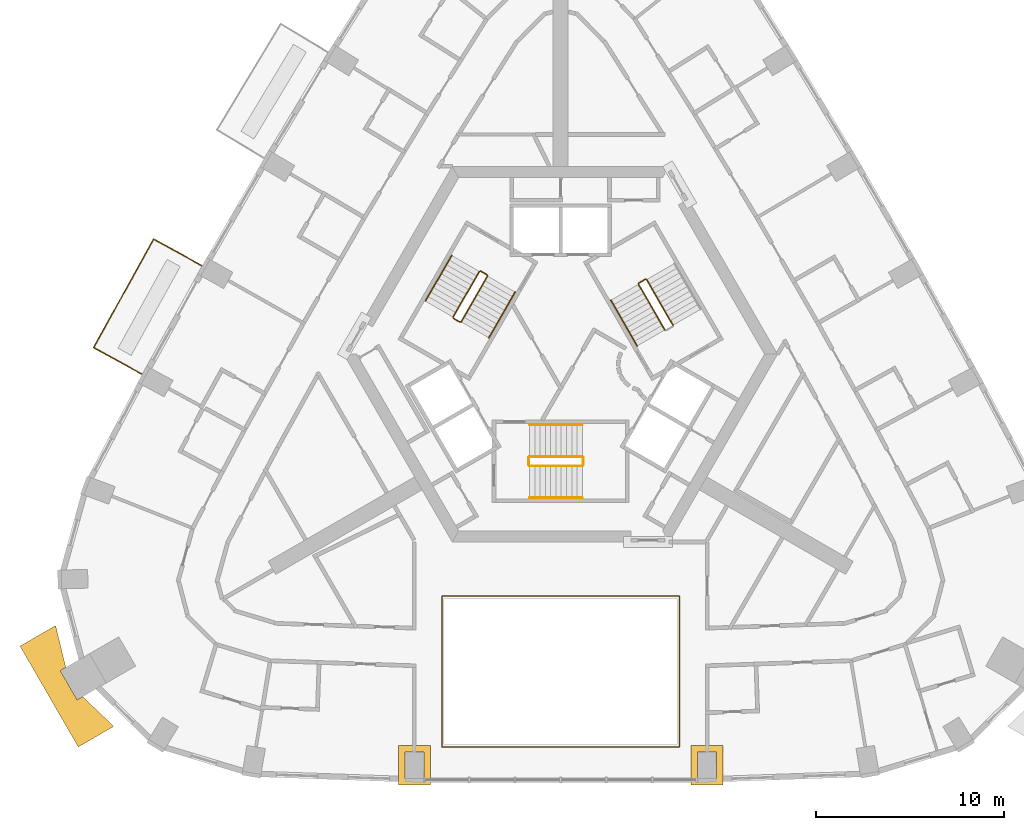
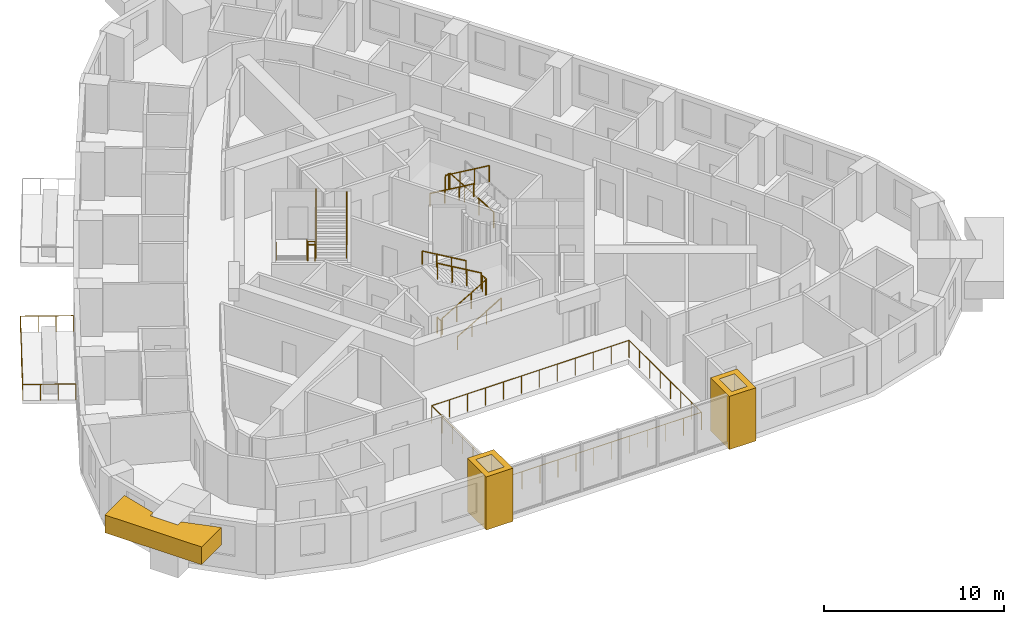
# One storey, part 12 of 14: 18 railings, 3 coverings.
"""IFC4 building model written with IfcOpenShell, lengths in metres."""

from ifc_helpers import new_model, si_unit, direction, frame, origin, origin_2d, place, context, subcontext, project, spatial, polyline, circle, outline, extrude, material, type_object, element, save


model = new_model("IFC4")

# Units and contexts
model_context = context("Model", 3, precision=1e-05, world=origin(), true_north=direction((0.0, 1.0)))
body_context = subcontext(model_context, "Body", "Model", "MODEL_VIEW")
ifc_project = project(units=[si_unit("LENGTHUNIT", "METRE"), si_unit("AREAUNIT", "SQUARE_METRE"), si_unit("VOLUMEUNIT", "CUBIC_METRE"), si_unit("PLANEANGLEUNIT", "RADIAN"), si_unit("MASSUNIT", "GRAM", prefix="KILO")], contexts=[model_context])

# Site, building, storey
site_placement = place(None, origin())
site = spatial("IfcSite", under=ifc_project, at=site_placement, CompositionType="ELEMENT")
building_placement = place(site_placement, origin())
building = spatial("IfcBuilding", under=site, at=building_placement, Name="Entoto Arch Interchange Tower", CompositionType="ELEMENT")
storey_placement = place(building_placement, frame((0.0, 0.0, 259.39990234375)))
storey = spatial("IfcBuildingStorey", under=building, at=storey_placement, Name="L59", CompositionType="ELEMENT", Elevation=259.39990234375)

# Railings
ifc_material_1 = material(Name="Stainless steel 1.4301", Category="steel")
railing_type_1 = type_object("IfcRailingType", Name="ATRIUM GUARD 1200 STEEL AND GLASS", PredefinedType="GUARDRAIL", material=ifc_material_1)
railing_1_placement = place(storey_placement, frame((6.320068359375, -18.408935546875, 0.0)))
element("IfcRailing", 1, at=railing_1_placement, inside=storey, type_object=railing_type_1, Name="Atrium guard L59", PredefinedType="GUARDRAIL", context=body_context, shape_type="SweptSolid", body=[
    extrude(circle(Radius=0.02392578125, at=origin_2d()), frame((0.0, 0.0, 1.17578125), z_axis=(-1.0, 0.0, 0.0), x_axis=(0.0, -1.0, 0.0)), (0.0, 0.0, 1.0), 12.64013671875),
    extrude(circle(Radius=0.02392578125, at=origin_2d()), frame((-12.64013671875, 0.0, 1.17578125), z_axis=(0.0, 1.0, 0.0), x_axis=(-1.0, 0.0, 0.0)), (0.0, 0.0, 1.0), 8.029052734375),
    extrude(circle(Radius=0.02392578125, at=origin_2d()), frame((-12.64013671875, 8.029052734375, 1.17578125), z_axis=(1.0, 0.0, 0.0), x_axis=(0.0, 1.0, 0.0)), (0.0, 0.0, 1.0), 12.64013671875),
    extrude(circle(Radius=0.02392578125, at=origin_2d()), frame((0.0, 8.029052734375, 1.17578125), z_axis=(0.0, -1.0, 0.0), x_axis=(1.0, 0.0, 0.0)), (0.0, 0.0, 1.0), 8.029052734375),
    extrude(circle(Radius=0.02099609375, at=origin_2d()), origin(), (0.0, 0.0, 1.0), 1.15185546875),
    extrude(circle(Radius=0.02099609375, at=origin_2d()), frame((-1.149169921875, 0.0, 0.0)), (0.0, 0.0, 1.0), 1.15185546875),
    extrude(circle(Radius=0.02099609375, at=origin_2d()), frame((-2.298095703125, 0.0, 0.0)), (0.0, 0.0, 1.0), 1.15185546875),
    extrude(circle(Radius=0.02099609375, at=origin_2d()), frame((-3.447265625, 0.0, 0.0)), (0.0, 0.0, 1.0), 1.15185546875),
    extrude(circle(Radius=0.02099609375, at=origin_2d()), frame((-4.596435546875, 0.0, 0.0)), (0.0, 0.0, 1.0), 1.15185546875),
    extrude(circle(Radius=0.02099609375, at=origin_2d()), frame((-5.74560546875, 0.0, 0.0)), (0.0, 0.0, 1.0), 1.15185546875),
    extrude(circle(Radius=0.02099609375, at=origin_2d()), frame((-6.89453125, 0.0, 0.0)), (0.0, 0.0, 1.0), 1.15185546875),
    extrude(circle(Radius=0.02099609375, at=origin_2d()), frame((-8.043701171875, 0.0, 0.0)), (0.0, 0.0, 1.0), 1.15185546875),
    extrude(circle(Radius=0.02099609375, at=origin_2d()), frame((-9.19287109375, 0.0, 0.0)), (0.0, 0.0, 1.0), 1.15185546875),
    extrude(circle(Radius=0.02099609375, at=origin_2d()), frame((-10.342041015625, 0.0, 0.0)), (0.0, 0.0, 1.0), 1.15185546875),
    extrude(circle(Radius=0.02099609375, at=origin_2d()), frame((-11.490966796875, 0.0, 0.0)), (0.0, 0.0, 1.0), 1.15185546875),
    extrude(circle(Radius=0.02099609375, at=origin_2d()), frame((-12.64013671875, 0.0, 0.0)), (0.0, 0.0, 1.0), 1.15185546875),
    extrude(circle(Radius=0.02099609375, at=origin_2d()), frame((-12.64013671875, 1.14697265625, 0.0)), (0.0, 0.0, 1.0), 1.15185546875),
    extrude(circle(Radius=0.02099609375, at=origin_2d()), frame((-12.64013671875, 2.2939453125, 0.0)), (0.0, 0.0, 1.0), 1.15185546875),
    extrude(circle(Radius=0.02099609375, at=origin_2d()), frame((-12.64013671875, 3.44091796875, 0.0)), (0.0, 0.0, 1.0), 1.15185546875),
    extrude(circle(Radius=0.02099609375, at=origin_2d()), frame((-12.64013671875, 4.588134765625, 0.0)), (0.0, 0.0, 1.0), 1.15185546875),
    extrude(circle(Radius=0.02099609375, at=origin_2d()), frame((-12.64013671875, 5.735107421875, 0.0)), (0.0, 0.0, 1.0), 1.15185546875),
    extrude(circle(Radius=0.02099609375, at=origin_2d()), frame((-12.64013671875, 6.882080078125, 0.0)), (0.0, 0.0, 1.0), 1.15185546875),
    extrude(circle(Radius=0.02099609375, at=origin_2d()), frame((-12.64013671875, 8.029052734375, 0.0)), (0.0, 0.0, 1.0), 1.15185546875),
    extrude(circle(Radius=0.02099609375, at=origin_2d()), frame((-11.490966796875, 8.029052734375, 0.0)), (0.0, 0.0, 1.0), 1.15185546875),
    extrude(circle(Radius=0.02099609375, at=origin_2d()), frame((-10.342041015625, 8.029052734375, 0.0)), (0.0, 0.0, 1.0), 1.15185546875),
    extrude(circle(Radius=0.02099609375, at=origin_2d()), frame((-9.19287109375, 8.029052734375, 0.0)), (0.0, 0.0, 1.0), 1.15185546875),
    extrude(circle(Radius=0.02099609375, at=origin_2d()), frame((-8.043701171875, 8.029052734375, 0.0)), (0.0, 0.0, 1.0), 1.15185546875),
    extrude(circle(Radius=0.02099609375, at=origin_2d()), frame((-6.89453125, 8.029052734375, 0.0)), (0.0, 0.0, 1.0), 1.15185546875),
    extrude(circle(Radius=0.02099609375, at=origin_2d()), frame((-5.74560546875, 8.029052734375, 0.0)), (0.0, 0.0, 1.0), 1.15185546875),
    extrude(circle(Radius=0.02099609375, at=origin_2d()), frame((-4.596435546875, 8.029052734375, 0.0)), (0.0, 0.0, 1.0), 1.15185546875),
    extrude(circle(Radius=0.02099609375, at=origin_2d()), frame((-3.447265625, 8.029052734375, 0.0)), (0.0, 0.0, 1.0), 1.15185546875),
    extrude(circle(Radius=0.02099609375, at=origin_2d()), frame((-2.298095703125, 8.029052734375, 0.0)), (0.0, 0.0, 1.0), 1.15185546875),
    extrude(circle(Radius=0.02099609375, at=origin_2d()), frame((-1.149169921875, 8.029052734375, 0.0)), (0.0, 0.0, 1.0), 1.15185546875),
    extrude(circle(Radius=0.02099609375, at=origin_2d()), frame((0.0, 8.029052734375, 0.0)), (0.0, 0.0, 1.0), 1.15185546875),
    extrude(circle(Radius=0.02099609375, at=origin_2d()), frame((0.0, 6.882080078125, 0.0)), (0.0, 0.0, 1.0), 1.15185546875),
    extrude(circle(Radius=0.02099609375, at=origin_2d()), frame((0.0, 5.735107421875, 0.0)), (0.0, 0.0, 1.0), 1.15185546875),
    extrude(circle(Radius=0.02099609375, at=origin_2d()), frame((0.0, 4.588134765625, 0.0)), (0.0, 0.0, 1.0), 1.15185546875),
    extrude(circle(Radius=0.02099609375, at=origin_2d()), frame((0.0, 3.44091796875, 0.0)), (0.0, 0.0, 1.0), 1.15185546875),
    extrude(circle(Radius=0.02099609375, at=origin_2d()), frame((0.0, 2.2939453125, 0.0)), (0.0, 0.0, 1.0), 1.15185546875),
    extrude(circle(Radius=0.02099609375, at=origin_2d()), frame((0.0, 1.14697265625, 0.0)), (0.0, 0.0, 1.0), 1.15185546875),
])
railing_type_2 = type_object("IfcRailingType", Name="GUARD 1100 STEEL AND GLASS", PredefinedType="GUARDRAIL", material=ifc_material_1)
railing_2_placement = place(storey_placement, frame((-19.087890625, 7.2080078125, 0.0)))
element("IfcRailing", 2, at=railing_2_placement, inside=storey, type_object=railing_type_2, Name="Balcony guard NW-04 L59", PredefinedType="GUARDRAIL", context=body_context, shape_type="SweptSolid", body=[
    extrude(circle(Radius=0.02392578125, at=origin_2d()), frame((0.0, 0.0, 1.076171875), z_axis=(-0.875368754809, 0.483455833665, 0.0), x_axis=(-0.483455833665, -0.875368754809, 0.0)), (0.0, 0.0, 1.0), 2.94970703125),
    extrude(circle(Radius=0.02392578125, at=origin_2d()), frame((-2.58203125, 1.426025390625, 1.076171875), z_axis=(-0.483443845308, -0.87537537573, 0.0), x_axis=(0.87537537573, -0.483443845308, 0.0)), (0.0, 0.0, 1.0), 6.60302734375),
    extrude(circle(Radius=0.02392578125, at=origin_2d()), frame((-5.774169921875, -4.35400390625, 1.076171875), z_axis=(0.875368754809, -0.483455833665, 0.0), x_axis=(0.483455833665, 0.875368754809, 0.0)), (0.0, 0.0, 1.0), 2.94970703125),
    extrude(circle(Radius=0.02099609375, at=origin_2d()), origin(), (0.0, 0.0, 1.0), 1.052001953125),
    extrude(circle(Radius=0.02099609375, at=origin_2d()), frame((-0.860595703125, 0.475341796875, 0.0)), (0.0, 0.0, 1.0), 1.052001953125),
    extrude(circle(Radius=0.02099609375, at=origin_2d()), frame((-1.721435546875, 0.95068359375, 0.0)), (0.0, 0.0, 1.0), 1.052001953125),
    extrude(circle(Radius=0.02099609375, at=origin_2d()), frame((-2.58203125, 1.426025390625, 0.0)), (0.0, 0.0, 1.0), 1.052001953125),
    extrude(circle(Radius=0.02099609375, at=origin_2d()), frame((-3.114013671875, 0.462646484375, 0.0)), (0.0, 0.0, 1.0), 1.052001953125),
    extrude(circle(Radius=0.02099609375, at=origin_2d()), frame((-3.64599609375, -0.500732421875, 0.0)), (0.0, 0.0, 1.0), 1.052001953125),
    extrude(circle(Radius=0.02099609375, at=origin_2d()), frame((-4.17822265625, -1.4638671875, 0.0)), (0.0, 0.0, 1.0), 1.052001953125),
    extrude(circle(Radius=0.02099609375, at=origin_2d()), frame((-4.710205078125, -2.42724609375, 0.0)), (0.0, 0.0, 1.0), 1.052001953125),
    extrude(circle(Radius=0.02099609375, at=origin_2d()), frame((-5.2421875, -3.390625, 0.0)), (0.0, 0.0, 1.0), 1.052001953125),
    extrude(circle(Radius=0.02099609375, at=origin_2d()), frame((-5.774169921875, -4.35400390625, 0.0)), (0.0, 0.0, 1.0), 1.052001953125),
    extrude(circle(Radius=0.02099609375, at=origin_2d()), frame((-4.91357421875, -4.829345703125, 0.0)), (0.0, 0.0, 1.0), 1.052001953125),
    extrude(circle(Radius=0.02099609375, at=origin_2d()), frame((-4.052734375, -5.3046875, 0.0)), (0.0, 0.0, 1.0), 1.052001953125),
    extrude(circle(Radius=0.02099609375, at=origin_2d()), frame((-3.192138671875, -5.780029296875, 0.0)), (0.0, 0.0, 1.0), 1.052001953125),
])

# Coverings
ifc_material_2 = material(Name="Board-marked precast concrete C50/60", Category="concrete")
covering_type = type_object("IfcCoveringType", Name="PRECAST FRAME COURSE", PredefinedType="CLADDING", material=ifc_material_2)
covering_1_placement = place(storey_placement, frame((0.0, 0.0, 2.06005859375)))
element("IfcCovering", 3, at=covering_1_placement, inside=storey, type_object=covering_type, Name="Corner pilaster head SW L57-L59", PredefinedType="CLADDING", context=body_context, shape_type="SweptSolid", body=[
    extrude(outline(polyline([(-25.68408203125, -18.408935546875), (-28.783935546875, -13.0390625), (-26.887939453125, -11.945068359375), (-26.345947265625, -14.173095703125), (-26.64404296875, -14.344970703125), (-25.743896484375, -15.903076171875), (-25.447021484375, -15.73095703125), (-23.7880859375, -17.31396484375), (-25.68408203125, -18.408935546875)])), origin(), (0.0, 0.0, 1.0), 1.199951171875),
])
covering_2_placement = place(storey_placement, frame((0.0, 0.0, -0.33984375)))
element("IfcCovering", 4, at=covering_2_placement, inside=storey, type_object=covering_type, Name="Gate pier L59", PredefinedType="CLADDING", context=body_context, shape_type="SweptSolid", body=[
    extrude(outline(polyline([(-8.634033203125, -18.339111328125), (-6.93408203125, -18.339111328125), (-6.93408203125, -20.43896484375), (-8.634033203125, -20.43896484375), (-8.634033203125, -18.339111328125)]), holes=[polyline([(-8.283935546875, -18.68896484375), (-8.283935546875, -20.089111328125), (-7.283935546875, -20.089111328125), (-7.283935546875, -18.68896484375), (-8.283935546875, -18.68896484375)])]), origin(), (0.0, 0.0, 1.0), 3.599853515625),
])
covering_3_placement = place(storey_placement, frame((0.0, 0.0, -0.33984375)))
element("IfcCovering", 5, at=covering_3_placement, inside=storey, type_object=covering_type, Name="Gate pier L59", PredefinedType="CLADDING", context=body_context, shape_type="SweptSolid", body=[
    extrude(outline(polyline([(6.93408203125, -18.339111328125), (8.634033203125, -18.339111328125), (8.634033203125, -20.43896484375), (6.93408203125, -20.43896484375), (6.93408203125, -18.339111328125)]), holes=[polyline([(7.283935546875, -18.68896484375), (7.283935546875, -20.089111328125), (8.283935546875, -20.089111328125), (8.283935546875, -18.68896484375), (7.283935546875, -18.68896484375)])]), origin(), (0.0, 0.0, 1.0), 3.599853515625),
])

# Railings
railing_type_3 = type_object("IfcRailingType", Name="STAIR GUARD 1100 STEEL", PredefinedType="GUARDRAIL", material=ifc_material_1)
railing_3_placement = place(storey_placement, frame((-1.64990234375, -3.449951171875, 0.163818359375)))
element("IfcRailing", 6, at=railing_3_placement, inside=storey, type_object=railing_type_3, Name="L59 ST-S stair guard 1", PredefinedType="GUARDRAIL", context=body_context, shape_type="SweptSolid", body=[
    extrude(circle(Radius=0.02392578125, at=origin_2d()), frame((0.0, 0.0, 1.076171875), z_axis=(0.863374499697, 0.0, 0.504563646405), x_axis=(0.0, 1.0, 0.0)), (0.0, 0.0, 1.0), 3.242919921875),
    extrude(circle(Radius=0.02099609375, at=origin_2d()), origin(), (0.0, 0.0, 1.0), 1.052001953125),
    extrude(circle(Radius=0.02099609375, at=origin_2d()), frame((0.933349609375, 0.0, 0.54541015625)), (0.0, 0.0, 1.0), 1.052001953125),
    extrude(circle(Radius=0.02099609375, at=origin_2d()), frame((1.866455078125, 0.0, 1.0908203125)), (0.0, 0.0, 1.0), 1.052001953125),
    extrude(circle(Radius=0.02099609375, at=origin_2d()), frame((2.7998046875, 0.0, 1.63623046875)), (0.0, 0.0, 1.0), 1.052001953125),
])
railing_4_placement = place(storey_placement, frame((1.199951171875, -3.39990234375, 1.800048828125)))
element("IfcRailing", 7, at=railing_4_placement, inside=storey, type_object=railing_type_3, Name="L59 ST-S stair guard 2", PredefinedType="GUARDRAIL", context=body_context, shape_type="SweptSolid", body=[
    extrude(circle(Radius=0.02392578125, at=origin_2d()), frame((0.0, 0.0, 1.076171875), z_axis=(0.0, 1.0, 0.0), x_axis=(-1.0, 0.0, 0.0)), (0.0, 0.0, 1.0), 0.39990234375),
    extrude(circle(Radius=0.02099609375, at=origin_2d()), origin(), (0.0, 0.0, 1.0), 1.052001953125),
    extrude(circle(Radius=0.02099609375, at=origin_2d()), frame((0.0, 0.39990234375, 0.0)), (0.0, 0.0, 1.0), 1.052001953125),
])
railing_5_placement = place(storey_placement, frame((1.14990234375, -2.949951171875, 1.963623046875)))
element("IfcRailing", 8, at=railing_5_placement, inside=storey, type_object=railing_type_3, Name="L59 ST-S stair guard 3", PredefinedType="GUARDRAIL", context=body_context, shape_type="SweptSolid", body=[
    extrude(circle(Radius=0.02392578125, at=origin_2d()), frame((0.0, 0.0, 1.076171875), z_axis=(-0.863341702679, 0.0, 0.504619762213), x_axis=(0.0, -1.0, 0.0)), (0.0, 0.0, 1.0), 3.242919921875),
    extrude(circle(Radius=0.02099609375, at=origin_2d()), origin(), (0.0, 0.0, 1.0), 1.052001953125),
    extrude(circle(Radius=0.02099609375, at=origin_2d()), frame((-0.933349609375, 0.0, 0.54541015625)), (0.0, 0.0, 1.0), 1.052001953125),
    extrude(circle(Radius=0.02099609375, at=origin_2d()), frame((-1.866455078125, 0.0, 1.091064453125)), (0.0, 0.0, 1.0), 1.052001953125),
    extrude(circle(Radius=0.02099609375, at=origin_2d()), frame((-2.7998046875, 0.0, 1.636474609375)), (0.0, 0.0, 1.0), 1.052001953125),
])
railing_6_placement = place(storey_placement, frame((-1.699951171875, -3.39990234375, 0.0)))
element("IfcRailing", 9, at=railing_6_placement, inside=storey, type_object=railing_type_3, Name="L59 ST-S stair guard 4", PredefinedType="GUARDRAIL", context=body_context, shape_type="SweptSolid", body=[
    extrude(circle(Radius=0.02392578125, at=origin_2d()), frame((0.0, 0.0, 1.076171875), z_axis=(0.0, 1.0, 0.0), x_axis=(-1.0, 0.0, 0.0)), (0.0, 0.0, 1.0), 0.39990234375),
    extrude(circle(Radius=0.02099609375, at=origin_2d()), origin(), (0.0, 0.0, 1.0), 1.052001953125),
    extrude(circle(Radius=0.02099609375, at=origin_2d()), frame((0.0, 0.39990234375, 0.0)), (0.0, 0.0, 1.0), 1.052001953125),
])
railing_7_placement = place(storey_placement, frame((5.977783203125, 4.046142578125, 0.163818359375)))
element("IfcRailing", 10, at=railing_7_placement, inside=storey, type_object=railing_type_3, Name="L59 ST-NE stair guard 1", PredefinedType="GUARDRAIL", context=body_context, shape_type="SweptSolid", body=[
    extrude(circle(Radius=0.02392578125, at=origin_2d()), frame((0.0, 0.0, 1.076171875), z_axis=(-0.431677027627, 0.74771821388, 0.504551698492), x_axis=(-0.866034573852, -0.49998411664, 0.0)), (0.0, 0.0, 1.0), 3.242919921875),
    extrude(circle(Radius=0.02099609375, at=origin_2d()), origin(), (0.0, 0.0, 1.0), 1.052001953125),
    extrude(circle(Radius=0.02099609375, at=origin_2d()), frame((-0.466552734375, 0.808349609375, 0.54541015625)), (0.0, 0.0, 1.0), 1.052001953125),
    extrude(circle(Radius=0.02099609375, at=origin_2d()), frame((-0.933349609375, 1.616455078125, 1.0908203125)), (0.0, 0.0, 1.0), 1.052001953125),
    extrude(circle(Radius=0.02099609375, at=origin_2d()), frame((-1.39990234375, 2.4248046875, 1.63623046875)), (0.0, 0.0, 1.0), 1.052001953125),
])
railing_8_placement = place(storey_placement, frame((4.509521484375, 6.4892578125, 1.800048828125)))
element("IfcRailing", 11, at=railing_8_placement, inside=storey, type_object=railing_type_3, Name="L59 ST-NE stair guard 2", PredefinedType="GUARDRAIL", context=body_context, shape_type="SweptSolid", body=[
    extrude(circle(Radius=0.02392578125, at=origin_2d()), frame((0.0, 0.0, 1.076171875), z_axis=(-0.866094119867, -0.499880961361, 0.0), x_axis=(0.499880961361, -0.866094119867, 0.0)), (0.0, 0.0, 1.0), 0.39990234375),
    extrude(circle(Radius=0.02099609375, at=origin_2d()), origin(), (0.0, 0.0, 1.0), 1.052001953125),
    extrude(circle(Radius=0.02099609375, at=origin_2d()), frame((-0.346435546875, -0.199951171875, 0.0)), (0.0, 0.0, 1.0), 1.052001953125),
])
railing_9_placement = place(storey_placement, frame((4.144775390625, 6.220947265625, 1.963623046875)))
element("IfcRailing", 12, at=railing_9_placement, inside=storey, type_object=railing_type_3, Name="L59 ST-NE stair guard 3", PredefinedType="GUARDRAIL", context=body_context, shape_type="SweptSolid", body=[
    extrude(circle(Radius=0.02392578125, at=origin_2d()), frame((0.0, 0.0, 1.076171875), z_axis=(0.431721881032, -0.747665513933, 0.504591415616), x_axis=(0.865996816683, 0.500049511043, 0.0)), (0.0, 0.0, 1.0), 3.2431640625),
    extrude(circle(Radius=0.02099609375, at=origin_2d()), origin(), (0.0, 0.0, 1.0), 1.052001953125),
    extrude(circle(Radius=0.02099609375, at=origin_2d()), frame((0.466796875, -0.808349609375, 0.54541015625)), (0.0, 0.0, 1.0), 1.052001953125),
    extrude(circle(Radius=0.02099609375, at=origin_2d()), frame((0.933349609375, -1.616455078125, 1.091064453125)), (0.0, 0.0, 1.0), 1.052001953125),
    extrude(circle(Radius=0.02099609375, at=origin_2d()), frame((1.400146484375, -2.4248046875, 1.636474609375)), (0.0, 0.0, 1.0), 1.052001953125),
])
railing_10_placement = place(storey_placement, frame((-4.327880859375, 6.904052734375, 0.163818359375)))
element("IfcRailing", 13, at=railing_10_placement, inside=storey, type_object=railing_type_3, Name="L59 ST-NW stair guard 1", PredefinedType="GUARDRAIL", context=body_context, shape_type="SweptSolid", body=[
    extrude(circle(Radius=0.02392578125, at=origin_2d()), frame((0.0, 0.0, 1.076171875), z_axis=(-0.43165272891, -0.747751404999, 0.504523297725), x_axis=(0.866056369097, -0.49994636267, 0.0)), (0.0, 0.0, 1.0), 3.2431640625),
    extrude(circle(Radius=0.02099609375, at=origin_2d()), origin(), (0.0, 0.0, 1.0), 1.052001953125),
    extrude(circle(Radius=0.02099609375, at=origin_2d()), frame((-0.466552734375, -0.808349609375, 0.54541015625)), (0.0, 0.0, 1.0), 1.052001953125),
    extrude(circle(Radius=0.02099609375, at=origin_2d()), frame((-0.933349609375, -1.61669921875, 1.0908203125)), (0.0, 0.0, 1.0), 1.052001953125),
    extrude(circle(Radius=0.02099609375, at=origin_2d()), frame((-1.39990234375, -2.425048828125, 1.63623046875)), (0.0, 0.0, 1.0), 1.052001953125),
])
railing_11_placement = place(storey_placement, frame((-5.70947265625, 4.410888671875, 1.800048828125)))
element("IfcRailing", 14, at=railing_11_placement, inside=storey, type_object=railing_type_3, Name="L59 ST-NW stair guard 2", PredefinedType="GUARDRAIL", context=body_context, shape_type="SweptSolid", body=[
    extrude(circle(Radius=0.02392578125, at=origin_2d()), frame((0.0, 0.0, 1.076171875), z_axis=(0.865829829939, -0.500338590944, 0.0), x_axis=(0.500338590944, 0.865829829939, 0.0)), (0.0, 0.0, 1.0), 0.400146484375),
    extrude(circle(Radius=0.02099609375, at=origin_2d()), origin(), (0.0, 0.0, 1.0), 1.052001953125),
    extrude(circle(Radius=0.02099609375, at=origin_2d()), frame((0.346435546875, -0.2001953125, 0.0)), (0.0, 0.0, 1.0), 1.052001953125),
])
railing_12_placement = place(storey_placement, frame((-5.294921875, 4.22900390625, 1.963623046875)))
element("IfcRailing", 15, at=railing_12_placement, inside=storey, type_object=railing_type_3, Name="L59 ST-NW stair guard 3", PredefinedType="GUARDRAIL", context=body_context, shape_type="SweptSolid", body=[
    extrude(circle(Radius=0.02392578125, at=origin_2d()), frame((0.0, 0.0, 1.076171875), z_axis=(0.431697583215, 0.747698708645, 0.504563016616), x_axis=(-0.866018616679, 0.500011755427, 0.0)), (0.0, 0.0, 1.0), 3.243408203125),
    extrude(circle(Radius=0.02099609375, at=origin_2d()), origin(), (0.0, 0.0, 1.0), 1.052001953125),
    extrude(circle(Radius=0.02099609375, at=origin_2d()), frame((0.466796875, 0.808349609375, 0.54541015625)), (0.0, 0.0, 1.0), 1.052001953125),
    extrude(circle(Radius=0.02099609375, at=origin_2d()), frame((0.933349609375, 1.61669921875, 1.091064453125)), (0.0, 0.0, 1.0), 1.052001953125),
    extrude(circle(Radius=0.02099609375, at=origin_2d()), frame((1.400146484375, 2.425048828125, 1.636474609375)), (0.0, 0.0, 1.0), 1.052001953125),
])
railing_13_placement = place(storey_placement, frame((-4.259521484375, 6.92236328125, 0.0)))
element("IfcRailing", 16, at=railing_13_placement, inside=storey, type_object=railing_type_3, Name="L59 ST-NW stair guard 4", PredefinedType="GUARDRAIL", context=body_context, shape_type="SweptSolid", body=[
    extrude(circle(Radius=0.02392578125, at=origin_2d()), frame((0.0, 0.0, 1.076171875), z_axis=(0.865829829939, -0.500338590944, 0.0), x_axis=(0.500338590944, 0.865829829939, 0.0)), (0.0, 0.0, 1.0), 0.400146484375),
    extrude(circle(Radius=0.02099609375, at=origin_2d()), origin(), (0.0, 0.0, 1.0), 1.052001953125),
    extrude(circle(Radius=0.02099609375, at=origin_2d()), frame((0.346435546875, -0.2001953125, 0.0)), (0.0, 0.0, 1.0), 1.052001953125),
])
railing_type_4 = type_object("IfcRailingType", Name="STAIR HANDRAIL 900 STEEL", PredefinedType="HANDRAIL", material=ifc_material_1)
railing_14_placement = place(storey_placement, frame((-1.64990234375, -5.14990234375, 0.163818359375)))
element("IfcRailing", 17, at=railing_14_placement, inside=storey, type_object=railing_type_4, Name="L59 ST-S stair handrail 1", PredefinedType="HANDRAIL", context=body_context, shape_type="SweptSolid", body=[
    extrude(circle(Radius=0.02392578125, at=origin_2d()), frame((0.0, 0.0, 0.8759765625), z_axis=(0.863374499697, 0.0, 0.504563646405), x_axis=(0.0, 1.0, 0.0)), (0.0, 0.0, 1.0), 3.242919921875),
    extrude(circle(Radius=0.02099609375, at=origin_2d()), origin(), (0.0, 0.0, 1.0), 0.851806640625),
    extrude(circle(Radius=0.02099609375, at=origin_2d()), frame((0.933349609375, 0.0, 0.54541015625)), (0.0, 0.0, 1.0), 0.851806640625),
    extrude(circle(Radius=0.02099609375, at=origin_2d()), frame((1.866455078125, 0.0, 1.0908203125)), (0.0, 0.0, 1.0), 0.851806640625),
    extrude(circle(Radius=0.02099609375, at=origin_2d()), frame((2.7998046875, 0.0, 1.63623046875)), (0.0, 0.0, 1.0), 0.851806640625),
])
railing_15_placement = place(storey_placement, frame((1.14990234375, -1.25, 1.963623046875)))
element("IfcRailing", 18, at=railing_15_placement, inside=storey, type_object=railing_type_4, Name="L59 ST-S stair handrail 2", PredefinedType="HANDRAIL", context=body_context, shape_type="SweptSolid", body=[
    extrude(circle(Radius=0.02392578125, at=origin_2d()), frame((0.0, 0.0, 0.8759765625), z_axis=(-0.863341702679, 0.0, 0.504619762213), x_axis=(0.0, -1.0, 0.0)), (0.0, 0.0, 1.0), 3.242919921875),
    extrude(circle(Radius=0.02099609375, at=origin_2d()), origin(), (0.0, 0.0, 1.0), 0.851806640625),
    extrude(circle(Radius=0.02099609375, at=origin_2d()), frame((-0.933349609375, 0.0, 0.54541015625)), (0.0, 0.0, 1.0), 0.851806640625),
    extrude(circle(Radius=0.02099609375, at=origin_2d()), frame((-1.866455078125, 0.0, 1.091064453125)), (0.0, 0.0, 1.0), 0.851806640625),
    extrude(circle(Radius=0.02099609375, at=origin_2d()), frame((-2.7998046875, 0.0, 1.636474609375)), (0.0, 0.0, 1.0), 0.851806640625),
])
railing_16_placement = place(storey_placement, frame((2.672607421875, 5.370849609375, 1.963623046875)))
element("IfcRailing", 19, at=railing_16_placement, inside=storey, type_object=railing_type_4, Name="L59 ST-NE stair handrail 2", PredefinedType="HANDRAIL", context=body_context, shape_type="SweptSolid", body=[
    extrude(circle(Radius=0.02392578125, at=origin_2d()), frame((0.0, 0.0, 0.8759765625), z_axis=(0.431660630283, -0.747689811644, 0.504607813879), x_axis=(0.866034573852, 0.49998411664, 0.0)), (0.0, 0.0, 1.0), 3.2431640625),
    extrude(circle(Radius=0.02099609375, at=origin_2d()), origin(), (0.0, 0.0, 1.0), 0.851806640625),
    extrude(circle(Radius=0.02099609375, at=origin_2d()), frame((0.466552734375, -0.808349609375, 0.54541015625)), (0.0, 0.0, 1.0), 0.851806640625),
    extrude(circle(Radius=0.02099609375, at=origin_2d()), frame((0.933349609375, -1.616455078125, 1.091064453125)), (0.0, 0.0, 1.0), 0.851806640625),
    extrude(circle(Radius=0.02099609375, at=origin_2d()), frame((1.39990234375, -2.4248046875, 1.636474609375)), (0.0, 0.0, 1.0), 0.851806640625),
])
railing_17_placement = place(storey_placement, frame((-5.800048828125, 7.75390625, 0.163818359375)))
element("IfcRailing", 20, at=railing_17_placement, inside=storey, type_object=railing_type_4, Name="L59 ST-NW stair handrail 1", PredefinedType="HANDRAIL", context=body_context, shape_type="SweptSolid", body=[
    extrude(circle(Radius=0.02392578125, at=origin_2d()), frame((0.0, 0.0, 0.8759765625), z_axis=(-0.431738279637, -0.747693913401, 0.504535300807), x_axis=(0.865996816683, -0.500049511043, 0.0)), (0.0, 0.0, 1.0), 3.2431640625),
    extrude(circle(Radius=0.02099609375, at=origin_2d()), origin(), (0.0, 0.0, 1.0), 0.851806640625),
    extrude(circle(Radius=0.02099609375, at=origin_2d()), frame((-0.466796875, -0.808349609375, 0.54541015625)), (0.0, 0.0, 1.0), 0.851806640625),
    extrude(circle(Radius=0.02099609375, at=origin_2d()), frame((-0.933349609375, -1.616455078125, 1.0908203125)), (0.0, 0.0, 1.0), 0.851806640625),
    extrude(circle(Radius=0.02099609375, at=origin_2d()), frame((-1.400146484375, -2.4248046875, 1.63623046875)), (0.0, 0.0, 1.0), 0.851806640625),
])
railing_18_placement = place(storey_placement, frame((-3.822509765625, 3.379150390625, 1.963623046875)))
element("IfcRailing", 21, at=railing_18_placement, inside=storey, type_object=railing_type_4, Name="L59 ST-NW stair handrail 2", PredefinedType="HANDRAIL", context=body_context, shape_type="SweptSolid", body=[
    extrude(circle(Radius=0.02392578125, at=origin_2d()), frame((0.0, 0.0, 0.8759765625), z_axis=(0.431660630283, 0.747689811644, 0.504607813879), x_axis=(-0.866034573852, 0.49998411664, 0.0)), (0.0, 0.0, 1.0), 3.2431640625),
    extrude(circle(Radius=0.02099609375, at=origin_2d()), origin(), (0.0, 0.0, 1.0), 0.851806640625),
    extrude(circle(Radius=0.02099609375, at=origin_2d()), frame((0.466552734375, 0.808349609375, 0.54541015625)), (0.0, 0.0, 1.0), 0.851806640625),
    extrude(circle(Radius=0.02099609375, at=origin_2d()), frame((0.933349609375, 1.616455078125, 1.091064453125)), (0.0, 0.0, 1.0), 0.851806640625),
    extrude(circle(Radius=0.02099609375, at=origin_2d()), frame((1.39990234375, 2.4248046875, 1.636474609375)), (0.0, 0.0, 1.0), 0.851806640625),
])

save(model, "model.ifc")
